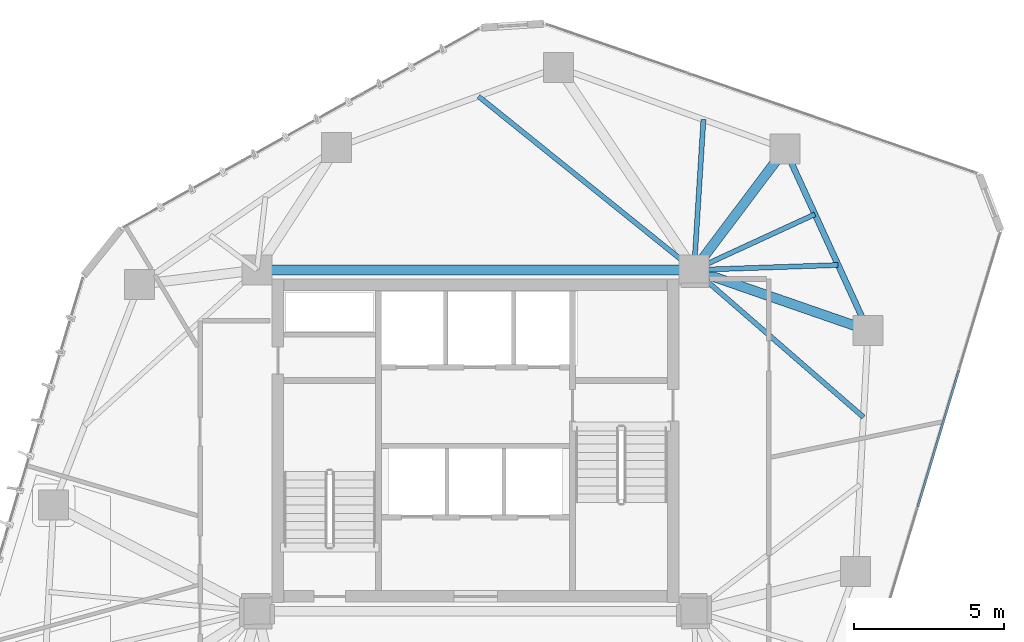
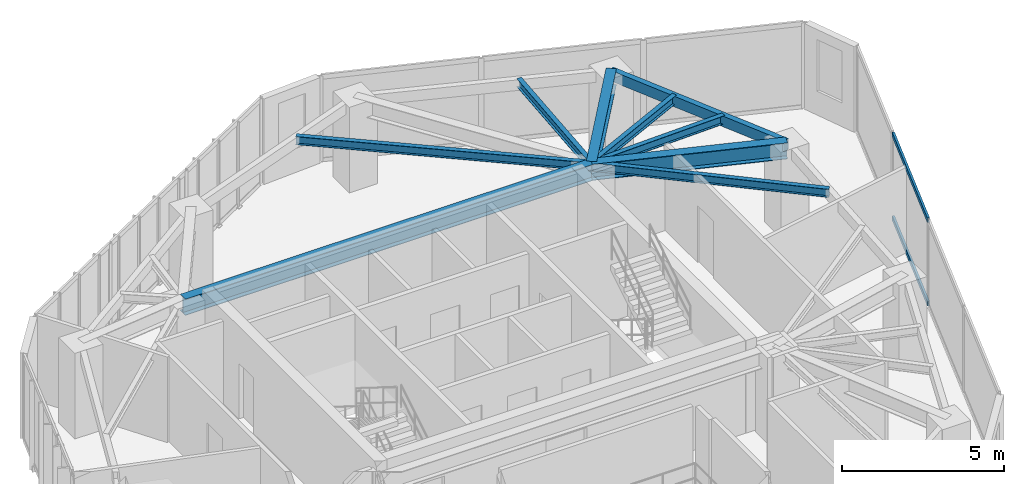
# One storey, part 10 of 19: 9 beams, 2 members, 1 element without a shape of its own.
"""IFC4 building model written with IfcOpenShell, lengths in metres."""

from ifc_helpers import new_model, si_unit, direction, frame, origin, origin_2d, place, context, subcontext, project, spatial, hollow_rectangle, i_section, extrude, source, transform, mapped, material, layer, layer_set, material_profile, profile_set, type_object, type_shapes, element, aggregate, save


model = new_model("IFC4")

# Units and contexts
model_context = context("Model", 3, precision=1e-05, world=origin(), true_north=direction((0.0, 1.0)))
body_context = subcontext(model_context, "Body", "Model", "MODEL_VIEW")
ifc_project = project(units=[si_unit("LENGTHUNIT", "METRE"), si_unit("AREAUNIT", "SQUARE_METRE"), si_unit("VOLUMEUNIT", "CUBIC_METRE"), si_unit("PLANEANGLEUNIT", "RADIAN"), si_unit("MASSUNIT", "GRAM", prefix="KILO")], contexts=[model_context])

# Site, building, storey
site_placement = place(None, origin())
site = spatial("IfcSite", under=ifc_project, at=site_placement, CompositionType="ELEMENT")
building_placement = place(site_placement, origin())
building = spatial("IfcBuilding", under=site, at=building_placement, Name="Talar Marvaseh", CompositionType="ELEMENT")
storey_placement = place(building_placement, frame((0.0, 0.0, 177.5)))
storey = spatial("IfcBuildingStorey", under=building, at=storey_placement, Name="L46", CompositionType="ELEMENT", Elevation=177.5)

# Beams
ifc_material_1 = material(Name="Steel S355", Category="steel")
ifc_material_profile_1 = material_profile(ifc_material_1, hollow_rectangle(XDim=0.199951171875, YDim=0.39990234375, WallThickness=0.013916015625, at=origin_2d()), Name="RHS400x200x14")
ifc_profile_set_1 = profile_set([ifc_material_profile_1], Name="Steel S355")
beam_type_1 = type_object("IfcBeamType", Name="Zone 3 Perimeter Spandrel Beam RHS400x200x14", PredefinedType="SPANDREL", material=ifc_profile_set_1)
beam_1_placement = place(storey_placement, frame((36.341064453125, 40.94189453125, 3.030029296875), z_axis=(0.416090570719, -0.909323175202, 0.0), x_axis=(0.909323175202, 0.416090570719, 0.0)))
element("IfcBeam", 1, at=beam_1_placement, inside=storey, type_object=beam_type_1, Name="L46 Zone 3 Perimeter Spandrel Beam RHS400x200x14", PredefinedType="SPANDREL", context=body_context, shape_type="SweptSolid", body=[
    extrude(hollow_rectangle(XDim=0.199951171875, YDim=0.39990234375, WallThickness=0.013916015625, at=origin_2d()), origin(), (0.0, 0.0, 1.0), 6.661865234375),
])
ifc_material_profile_2 = material_profile(ifc_material_1, i_section(OverallWidth=0.324951171875, OverallDepth=0.615966796875, WebThickness=0.013916015625, FlangeThickness=0.021484375, at=origin_2d()), Name="W610x174")
ifc_profile_set_2 = profile_set([ifc_material_profile_2], Name="Steel S355")
beam_type_2 = type_object("IfcBeamType", Name="Zone 3 Radial Floor Girder W610x174", PredefinedType="BEAM", material=ifc_profile_set_2)
beam_2_placement = place(storey_placement, frame((18.699951171875, 36.89990234375, 2.922119140625), z_axis=(1.0, 0.0, 0.0), x_axis=(0.0, 1.0, 0.0)))
element("IfcBeam", 2, at=beam_2_placement, inside=storey, type_object=beam_type_2, Name="L46 Zone 3 Radial Floor Girder W610x174", PredefinedType="BEAM", context=body_context, shape_type="SweptSolid", body=[
    extrude(i_section(OverallWidth=0.324951171875, OverallDepth=0.615966796875, WebThickness=0.013916015625, FlangeThickness=0.021484375, at=origin_2d()), origin(), (0.0, 0.0, 1.0), 14.60009765625),
])
beam_3_placement = place(storey_placement, frame((36.341064453125, 40.94189453125, 2.922119140625), z_axis=(-0.601204044541, -0.799095549247, 0.0), x_axis=(0.799095549247, -0.601204044541, 0.0)))
element("IfcBeam", 3, at=beam_3_placement, inside=storey, type_object=beam_type_2, Name="L46 Zone 3 Radial Floor Girder W610x174", PredefinedType="BEAM", context=body_context, shape_type="SweptSolid", body=[
    extrude(i_section(OverallWidth=0.324951171875, OverallDepth=0.615966796875, WebThickness=0.013916015625, FlangeThickness=0.021484375, at=origin_2d()), origin(), (0.0, 0.0, 1.0), 5.05810546875),
])
beam_4_placement = place(storey_placement, frame((39.113037109375, 34.884033203125, 2.922119140625), z_axis=(-0.94480098975, 0.327644761544, 0.0), x_axis=(-0.327644761544, -0.94480098975, 0.0)))
element("IfcBeam", 4, at=beam_4_placement, inside=storey, type_object=beam_type_2, Name="L46 Zone 3 Radial Floor Girder W610x174", PredefinedType="BEAM", context=body_context, shape_type="SweptSolid", body=[
    extrude(i_section(OverallWidth=0.324951171875, OverallDepth=0.615966796875, WebThickness=0.013916015625, FlangeThickness=0.021484375, at=origin_2d()), origin(), (0.0, 0.0, 1.0), 6.152587890625),
])
ifc_material_profile_3 = material_profile(ifc_material_1, i_section(OverallWidth=0.166015625, OverallDepth=0.31298828125, WebThickness=0.006591796875, FlangeThickness=0.01123046875, at=origin_2d()), Name="W310x45")
ifc_profile_set_3 = profile_set([ifc_material_profile_3], Name="Steel S355")
beam_type_3 = type_object("IfcBeamType", Name="Zone 3 Secondary Floor Joist W310x45", PredefinedType="JOIST", material=ifc_profile_set_3)
beam_5_placement = place(storey_placement, frame((33.614013671875, 41.92333984375, 3.073486328125), z_axis=(-0.062378286155, -0.998052578483, 0.0), x_axis=(0.998052578483, -0.062378286155, 0.0)))
element("IfcBeam", 5, at=beam_5_placement, inside=storey, type_object=beam_type_3, Name="L46 Zone 3 Secondary Floor Joist W310x45", PredefinedType="JOIST", context=body_context, shape_type="SweptSolid", body=[
    extrude(i_section(OverallWidth=0.166015625, OverallDepth=0.31298828125, WebThickness=0.006591796875, FlangeThickness=0.01123046875, at=origin_2d()), origin(), (0.0, 0.0, 1.0), 5.033203125),
])
beam_6_placement = place(storey_placement, frame((37.3388671875, 38.760986328125, 3.073486328125), z_axis=(-0.908214702737, -0.418504544458, 0.0), x_axis=(0.418504544458, -0.908214702737, 0.0)))
element("IfcBeam", 6, at=beam_6_placement, inside=storey, type_object=beam_type_3, Name="L46 Zone 3 Secondary Floor Joist W310x45", PredefinedType="JOIST", context=body_context, shape_type="SweptSolid", body=[
    extrude(i_section(OverallWidth=0.166015625, OverallDepth=0.31298828125, WebThickness=0.006591796875, FlangeThickness=0.01123046875, at=origin_2d()), origin(), (0.0, 0.0, 1.0), 4.447021484375),
])
beam_7_placement = place(storey_placement, frame((38.114990234375, 37.06494140625, 3.073486328125), z_axis=(-0.999413079861, -0.034256325017, 0.0), x_axis=(0.034256325017, -0.999413079861, 0.0)))
element("IfcBeam", 7, at=beam_7_placement, inside=storey, type_object=beam_type_3, Name="L46 Zone 3 Secondary Floor Joist W310x45", PredefinedType="JOIST", context=body_context, shape_type="SweptSolid", body=[
    extrude(i_section(OverallWidth=0.166015625, OverallDepth=0.31298828125, WebThickness=0.006591796875, FlangeThickness=0.01123046875, at=origin_2d()), origin(), (0.0, 0.0, 1.0), 4.81787109375),
])
beam_8_placement = place(storey_placement, frame((38.96044921875, 31.982421875, 3.073486328125), z_axis=(-0.754909663958, 0.655828788071, 0.0), x_axis=(-0.655828788071, -0.754909663958, 0.0)))
element("IfcBeam", 8, at=beam_8_placement, inside=storey, type_object=beam_type_3, Name="L46 Zone 3 Secondary Floor Joist W310x45", PredefinedType="JOIST", context=body_context, shape_type="SweptSolid", body=[
    extrude(i_section(OverallWidth=0.166015625, OverallDepth=0.31298828125, WebThickness=0.006591796875, FlangeThickness=0.01123046875, at=origin_2d()), origin(), (0.0, 0.0, 1.0), 7.498046875),
])
beam_9_placement = place(storey_placement, frame((26.096923828125, 42.702392578125, 3.073486328125), z_axis=(0.778755341842, -0.627327759272, 0.0), x_axis=(0.627327759272, 0.778755341842, 0.0)))
element("IfcBeam", 9, at=beam_9_placement, inside=storey, type_object=beam_type_3, Name="L46 Zone 3 Secondary Floor Joist W310x45", PredefinedType="JOIST", context=body_context, shape_type="SweptSolid", body=[
    extrude(i_section(OverallWidth=0.166015625, OverallDepth=0.31298828125, WebThickness=0.006591796875, FlangeThickness=0.01123046875, at=origin_2d()), origin(), (0.0, 0.0, 1.0), 9.24951171875),
])

# Curtain wall, members
ifc_material_2 = material(Name="Architectural Aluminium", Category="aluminium")
ifc_layer = layer(ifc_material_2, 0.18994140625)
ifc_layer_set = layer_set([ifc_layer], Name="Architectural Aluminium")
curtain_wall_type = type_object("IfcCurtainWallType", Name="Unitised Solar Atelier Curtain Wall Z3", PredefinedType="NOTDEFINED", material=ifc_layer_set)
curtain_wall_placement = place(storey_placement, origin())
curtain_wall = element("IfcCurtainWall", 10, at=curtain_wall_placement, inside=storey, type_object=curtain_wall_type, Name="L46 Unitised Solar Atelier Curtain Wall Z3", PredefinedType="NOTDEFINED")
ifc_material_profile_4 = material_profile(ifc_material_2, hollow_rectangle(XDim=0.074951171875, YDim=0.179931640625, WallThickness=0.0048828125, at=origin_2d()), Name="RHS180x75x5")
ifc_profile_set_4 = profile_set([ifc_material_profile_4], Name="Architectural Aluminium")
member_type = type_object("IfcMemberType", Name="Unitised Curtain Wall Transom RHS180x75x5", PredefinedType="USERDEFINED", material=ifc_profile_set_4)
shared_shape = source(origin(), body_context, "Body", "SweptSolid", [
    extrude(hollow_rectangle(XDim=0.074951171875, YDim=0.179931640625, WallThickness=0.0048828125, at=origin_2d()), origin(), (0.0, 0.0, 1.0), 4.7470703125),
])
type_shapes(member_type, [shared_shape])
member_1_placement = place(storey_placement, frame((42.142578125, 33.532958984375, 0.03759765625), z_axis=(-0.28836688222, -0.957519995216, 0.0), x_axis=(0.957519995216, -0.28836688222, 0.0)))
member_1 = element("IfcMember", 11, at=member_1_placement, type_object=member_type, Name="CW-Z3 transom 2.1", ObjectType="TRANSOM", PredefinedType="USERDEFINED", context=body_context, shape_type="MappedRepresentation", body=[
    mapped(shared_shape, transform((0.0, 0.0, 0.0), x_axis=(1.0, 0.0, 0.0), y_axis=(0.0, 1.0, 0.0), z_axis=(0.0, 0.0, 1.0), scale=1.0)),
])
member_2_placement = place(storey_placement, frame((42.142578125, 33.532958984375, 3.1923828125), z_axis=(-0.28836688222, -0.957519995216, 0.0), x_axis=(0.957519995216, -0.28836688222, 0.0)))
member_2 = element("IfcMember", 12, at=member_2_placement, type_object=member_type, Name="CW-Z3 transom 2.2", ObjectType="TRANSOM", PredefinedType="USERDEFINED", context=body_context, shape_type="MappedRepresentation", body=[
    mapped(shared_shape, transform((0.0, 0.0, 0.0), x_axis=(1.0, 0.0, 0.0), y_axis=(0.0, 1.0, 0.0), z_axis=(0.0, 0.0, 1.0), scale=1.0)),
])
aggregate(curtain_wall, [member_1, member_2])

save(model, "model.ifc")
